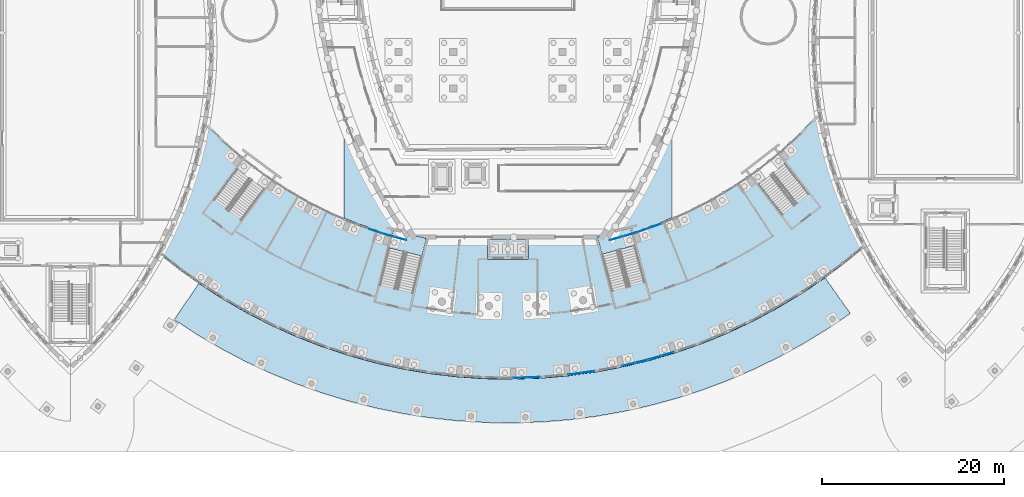
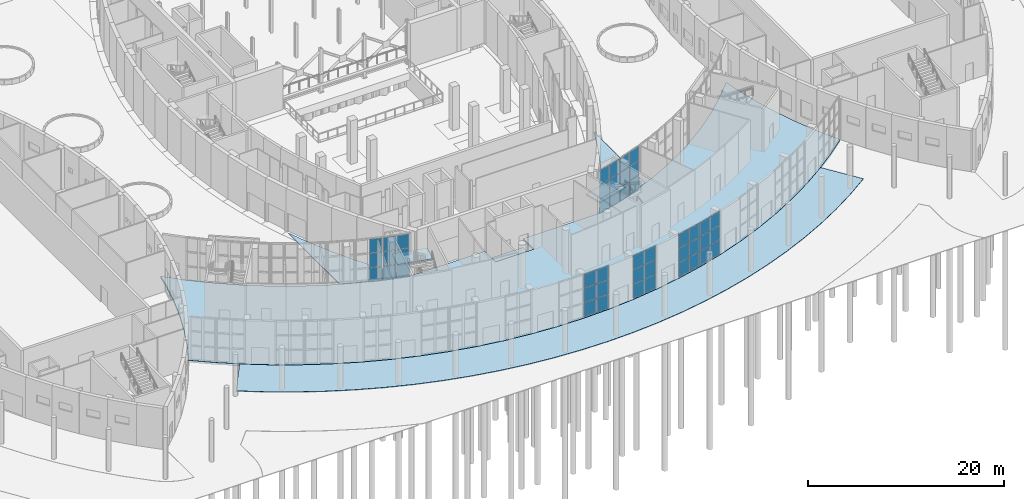
# One storey, part 31 of 82: 45 plates, 7 slabs, 10 elements without a shape of their own.
"""IFC4 building model written with IfcOpenShell, lengths in metres."""

from ifc_helpers import new_model, si_unit, direction, frame, origin, origin_2d, place, context, subcontext, project, spatial, polyline, rectangle, outline, extrude, material, layer, layer_set, type_object, element, aggregate, save


model = new_model("IFC4")

# Units and contexts
model_context = context("Model", 3, precision=1e-05, world=origin(), true_north=direction((0.0, 1.0)))
body_context = subcontext(model_context, "Body", "Model", "MODEL_VIEW")
ifc_project = project(units=[si_unit("LENGTHUNIT", "METRE"), si_unit("AREAUNIT", "SQUARE_METRE"), si_unit("VOLUMEUNIT", "CUBIC_METRE"), si_unit("PLANEANGLEUNIT", "RADIAN"), si_unit("MASSUNIT", "GRAM", prefix="KILO")], contexts=[model_context])

# Site, building, storey
site_placement = place(None, origin())
site = spatial("IfcSite", under=ifc_project, at=site_placement, CompositionType="ELEMENT")
building_placement = place(site_placement, origin())
building = spatial("IfcBuilding", under=site, at=building_placement, Name="Tide Square Theatres", CompositionType="ELEMENT")
storey_placement = place(building_placement, origin())
storey = spatial("IfcBuildingStorey", under=building, at=storey_placement, Name="L00", CompositionType="ELEMENT", Elevation=0.0)

# Curtain wall, plates
ifc_material_1 = material(Name="Aluminium 6063-T5", Category="aluminium")
curtain_wall_type = type_object("IfcCurtainWallType", Name="Unitised system curtain wall 5400 high", PredefinedType="USERDEFINED", material=ifc_material_1)
curtain_wall_1_placement = place(storey_placement, origin())
curtain_wall_1 = element("IfcCurtainWall", 1, at=curtain_wall_1_placement, inside=storey, type_object=curtain_wall_type, Name="Foyer outer curtain wall", ObjectType="UNITISED SYSTEM", PredefinedType="USERDEFINED")
ifc_material_2 = material(Name="Double-glazed unit with aluminium frame", Category="aluminium")
ifc_layer_1 = layer(ifc_material_2, 0.030029296875)
ifc_layer_set_1 = layer_set([ifc_layer_1], Name="Double-glazed unit with aluminium frame")
plate_type = type_object("IfcPlateType", Name="Curtain wall panel 30 thick", PredefinedType="CURTAIN_PANEL", material=ifc_layer_set_1)
plate_1_placement = place(storey_placement, frame((85.355224609375, 8.154541015625, 0.050048828125), z_axis=(0.0, 0.0, 1.0), x_axis=(0.999391522611, 0.034879571875, 0.0)))
plate_1 = element("IfcPlate", 2, at=plate_1_placement, type_object=plate_type, Name="CW-01 panel 1.1", PredefinedType="CURTAIN_PANEL", context=body_context, shape_type="SweptSolid", body=[
    extrude(rectangle(XDim=1.407958984375, YDim=0.030029296875, at=origin_2d()), origin(), (0.0, 0.0, 1.0), 1.72509765625),
])
plate_2_placement = place(storey_placement, frame((85.355224609375, 8.154541015625, 1.824951171875), z_axis=(0.0, 0.0, 1.0), x_axis=(0.999391522611, 0.034879571875, 0.0)))
plate_2 = element("IfcPlate", 3, at=plate_2_placement, type_object=plate_type, Name="CW-01 panel 1.2", PredefinedType="CURTAIN_PANEL", context=body_context, shape_type="SweptSolid", body=[
    extrude(rectangle(XDim=1.407958984375, YDim=0.030029296875, at=origin_2d()), origin(), (0.0, 0.0, 1.0), 1.75),
])
plate_3_placement = place(storey_placement, frame((85.355224609375, 8.154541015625, 3.625), z_axis=(0.0, 0.0, 1.0), x_axis=(0.999391522611, 0.034879571875, 0.0)))
plate_3 = element("IfcPlate", 4, at=plate_3_placement, type_object=plate_type, Name="CW-01 panel 1.3", PredefinedType="CURTAIN_PANEL", context=body_context, shape_type="SweptSolid", body=[
    extrude(rectangle(XDim=1.407958984375, YDim=0.030029296875, at=origin_2d()), origin(), (0.0, 0.0, 1.0), 1.72509765625),
])
plate_4_placement = place(storey_placement, frame((86.822509765625, 8.205810546875, 0.050048828125), z_axis=(0.0, 0.0, 1.0), x_axis=(0.999391522611, 0.034879571875, 0.0)))
plate_4 = element("IfcPlate", 5, at=plate_4_placement, type_object=plate_type, Name="CW-01 panel 2.1", PredefinedType="CURTAIN_PANEL", context=body_context, shape_type="SweptSolid", body=[
    extrude(rectangle(XDim=1.407958984375, YDim=0.030029296875, at=origin_2d()), origin(), (0.0, 0.0, 1.0), 1.72509765625),
])
plate_5_placement = place(storey_placement, frame((86.822509765625, 8.205810546875, 1.824951171875), z_axis=(0.0, 0.0, 1.0), x_axis=(0.999391522611, 0.034879571875, 0.0)))
plate_5 = element("IfcPlate", 6, at=plate_5_placement, type_object=plate_type, Name="CW-01 panel 2.2", PredefinedType="CURTAIN_PANEL", context=body_context, shape_type="SweptSolid", body=[
    extrude(rectangle(XDim=1.407958984375, YDim=0.030029296875, at=origin_2d()), origin(), (0.0, 0.0, 1.0), 1.75),
])
plate_6_placement = place(storey_placement, frame((86.822509765625, 8.205810546875, 3.625), z_axis=(0.0, 0.0, 1.0), x_axis=(0.999391522611, 0.034879571875, 0.0)))
plate_6 = element("IfcPlate", 7, at=plate_6_placement, type_object=plate_type, Name="CW-01 panel 2.3", PredefinedType="CURTAIN_PANEL", context=body_context, shape_type="SweptSolid", body=[
    extrude(rectangle(XDim=1.407958984375, YDim=0.030029296875, at=origin_2d()), origin(), (0.0, 0.0, 1.0), 1.72509765625),
])
aggregate(curtain_wall_1, [plate_1, plate_2, plate_3, plate_4, plate_5, plate_6])

curtain_wall_2_placement = place(storey_placement, origin())
curtain_wall_2 = element("IfcCurtainWall", 8, at=curtain_wall_2_placement, inside=storey, type_object=curtain_wall_type, Name="Foyer outer curtain wall", ObjectType="UNITISED SYSTEM", PredefinedType="USERDEFINED")
plate_7_placement = place(storey_placement, frame((91.328125, 8.589599609375, 0.050048828125), z_axis=(0.0, 0.0, 1.0), x_axis=(0.990903141427, 0.134576982836, 0.0)))
plate_7 = element("IfcPlate", 9, at=plate_7_placement, type_object=plate_type, Name="CW-01 panel 1.1", PredefinedType="CURTAIN_PANEL", context=body_context, shape_type="SweptSolid", body=[
    extrude(rectangle(XDim=1.407958984375, YDim=0.030029296875, at=origin_2d()), origin(), (0.0, 0.0, 1.0), 1.72509765625),
])
plate_8_placement = place(storey_placement, frame((91.328125, 8.589599609375, 1.824951171875), z_axis=(0.0, 0.0, 1.0), x_axis=(0.990903141427, 0.134576982836, 0.0)))
plate_8 = element("IfcPlate", 10, at=plate_8_placement, type_object=plate_type, Name="CW-01 panel 1.2", PredefinedType="CURTAIN_PANEL", context=body_context, shape_type="SweptSolid", body=[
    extrude(rectangle(XDim=1.407958984375, YDim=0.030029296875, at=origin_2d()), origin(), (0.0, 0.0, 1.0), 1.75),
])
plate_9_placement = place(storey_placement, frame((91.328125, 8.589599609375, 3.625), z_axis=(0.0, 0.0, 1.0), x_axis=(0.990903141427, 0.134576982836, 0.0)))
plate_9 = element("IfcPlate", 11, at=plate_9_placement, type_object=plate_type, Name="CW-01 panel 1.3", PredefinedType="CURTAIN_PANEL", context=body_context, shape_type="SweptSolid", body=[
    extrude(rectangle(XDim=1.407958984375, YDim=0.030029296875, at=origin_2d()), origin(), (0.0, 0.0, 1.0), 1.72509765625),
])
plate_10_placement = place(storey_placement, frame((92.78271484375, 8.787109375, 0.050048828125), z_axis=(0.0, 0.0, 1.0), x_axis=(0.990903141427, 0.134576982836, 0.0)))
plate_10 = element("IfcPlate", 12, at=plate_10_placement, type_object=plate_type, Name="CW-01 panel 2.1", PredefinedType="CURTAIN_PANEL", context=body_context, shape_type="SweptSolid", body=[
    extrude(rectangle(XDim=1.407958984375, YDim=0.030029296875, at=origin_2d()), origin(), (0.0, 0.0, 1.0), 1.72509765625),
])
plate_11_placement = place(storey_placement, frame((92.78271484375, 8.787109375, 1.824951171875), z_axis=(0.0, 0.0, 1.0), x_axis=(0.990903141427, 0.134576982836, 0.0)))
plate_11 = element("IfcPlate", 13, at=plate_11_placement, type_object=plate_type, Name="CW-01 panel 2.2", PredefinedType="CURTAIN_PANEL", context=body_context, shape_type="SweptSolid", body=[
    extrude(rectangle(XDim=1.407958984375, YDim=0.030029296875, at=origin_2d()), origin(), (0.0, 0.0, 1.0), 1.75),
])
plate_12_placement = place(storey_placement, frame((92.78271484375, 8.787109375, 3.625), z_axis=(0.0, 0.0, 1.0), x_axis=(0.990903141427, 0.134576982836, 0.0)))
plate_12 = element("IfcPlate", 14, at=plate_12_placement, type_object=plate_type, Name="CW-01 panel 2.3", PredefinedType="CURTAIN_PANEL", context=body_context, shape_type="SweptSolid", body=[
    extrude(rectangle(XDim=1.407958984375, YDim=0.030029296875, at=origin_2d()), origin(), (0.0, 0.0, 1.0), 1.72509765625),
])
aggregate(curtain_wall_2, [plate_7, plate_8, plate_9, plate_10, plate_11, plate_12])

curtain_wall_3_placement = place(storey_placement, origin())
curtain_wall_3 = element("IfcCurtainWall", 15, at=curtain_wall_3_placement, inside=storey, type_object=curtain_wall_type, Name="Foyer outer curtain wall", ObjectType="UNITISED SYSTEM", PredefinedType="USERDEFINED")
plate_13_placement = place(storey_placement, frame((97.227783203125, 9.619140625, 0.050048828125), z_axis=(0.0, 0.0, 1.0), x_axis=(0.972498081523, 0.232910887324, 0.0)))
plate_13 = element("IfcPlate", 16, at=plate_13_placement, type_object=plate_type, Name="CW-01 panel 1.1", PredefinedType="CURTAIN_PANEL", context=body_context, shape_type="SweptSolid", body=[
    extrude(rectangle(XDim=1.407958984375, YDim=0.030029296875, at=origin_2d()), origin(), (0.0, 0.0, 1.0), 1.72509765625),
])
plate_14_placement = place(storey_placement, frame((97.227783203125, 9.619140625, 1.824951171875), z_axis=(0.0, 0.0, 1.0), x_axis=(0.972498081523, 0.232910887324, 0.0)))
plate_14 = element("IfcPlate", 17, at=plate_14_placement, type_object=plate_type, Name="CW-01 panel 1.2", PredefinedType="CURTAIN_PANEL", context=body_context, shape_type="SweptSolid", body=[
    extrude(rectangle(XDim=1.407958984375, YDim=0.030029296875, at=origin_2d()), origin(), (0.0, 0.0, 1.0), 1.75),
])
plate_15_placement = place(storey_placement, frame((97.227783203125, 9.619140625, 3.625), z_axis=(0.0, 0.0, 1.0), x_axis=(0.972498081523, 0.232910887324, 0.0)))
plate_15 = element("IfcPlate", 18, at=plate_15_placement, type_object=plate_type, Name="CW-01 panel 1.3", PredefinedType="CURTAIN_PANEL", context=body_context, shape_type="SweptSolid", body=[
    extrude(rectangle(XDim=1.407958984375, YDim=0.030029296875, at=origin_2d()), origin(), (0.0, 0.0, 1.0), 1.72509765625),
])
plate_16_placement = place(storey_placement, frame((98.6552734375, 9.9609375, 0.050048828125), z_axis=(0.0, 0.0, 1.0), x_axis=(0.972498081523, 0.232910887324, 0.0)))
plate_16 = element("IfcPlate", 19, at=plate_16_placement, type_object=plate_type, Name="CW-01 panel 2.1", PredefinedType="CURTAIN_PANEL", context=body_context, shape_type="SweptSolid", body=[
    extrude(rectangle(XDim=1.407958984375, YDim=0.030029296875, at=origin_2d()), origin(), (0.0, 0.0, 1.0), 1.72509765625),
])
plate_17_placement = place(storey_placement, frame((98.6552734375, 9.9609375, 1.824951171875), z_axis=(0.0, 0.0, 1.0), x_axis=(0.972498081523, 0.232910887324, 0.0)))
plate_17 = element("IfcPlate", 20, at=plate_17_placement, type_object=plate_type, Name="CW-01 panel 2.2", PredefinedType="CURTAIN_PANEL", context=body_context, shape_type="SweptSolid", body=[
    extrude(rectangle(XDim=1.407958984375, YDim=0.030029296875, at=origin_2d()), origin(), (0.0, 0.0, 1.0), 1.75),
])
plate_18_placement = place(storey_placement, frame((98.6552734375, 9.9609375, 3.625), z_axis=(0.0, 0.0, 1.0), x_axis=(0.972498081523, 0.232910887324, 0.0)))
plate_18 = element("IfcPlate", 21, at=plate_18_placement, type_object=plate_type, Name="CW-01 panel 2.3", PredefinedType="CURTAIN_PANEL", context=body_context, shape_type="SweptSolid", body=[
    extrude(rectangle(XDim=1.407958984375, YDim=0.030029296875, at=origin_2d()), origin(), (0.0, 0.0, 1.0), 1.72509765625),
])
aggregate(curtain_wall_3, [plate_13, plate_14, plate_15, plate_16, plate_17, plate_18])

curtain_wall_4_placement = place(storey_placement, origin())
curtain_wall_4 = element("IfcCurtainWall", 22, at=curtain_wall_4_placement, inside=storey, type_object=curtain_wall_type, Name="Foyer outer curtain wall", ObjectType="UNITISED SYSTEM", PredefinedType="USERDEFINED")
plate_19_placement = place(storey_placement, frame((100.13134765625, 10.353759765625, 0.050048828125), z_axis=(0.0, 0.0, 1.0), x_axis=(0.959626058524, 0.281278914607, 0.0)))
plate_19 = element("IfcPlate", 23, at=plate_19_placement, type_object=plate_type, Name="CW-01 panel 1.1", PredefinedType="CURTAIN_PANEL", context=body_context, shape_type="SweptSolid", body=[
    extrude(rectangle(XDim=1.407958984375, YDim=0.030029296875, at=origin_2d()), origin(), (0.0, 0.0, 1.0), 1.72509765625),
])
plate_20_placement = place(storey_placement, frame((100.13134765625, 10.353759765625, 1.824951171875), z_axis=(0.0, 0.0, 1.0), x_axis=(0.959626058524, 0.281278914607, 0.0)))
plate_20 = element("IfcPlate", 24, at=plate_20_placement, type_object=plate_type, Name="CW-01 panel 1.2", PredefinedType="CURTAIN_PANEL", context=body_context, shape_type="SweptSolid", body=[
    extrude(rectangle(XDim=1.407958984375, YDim=0.030029296875, at=origin_2d()), origin(), (0.0, 0.0, 1.0), 1.75),
])
plate_21_placement = place(storey_placement, frame((100.13134765625, 10.353759765625, 3.625), z_axis=(0.0, 0.0, 1.0), x_axis=(0.959626058524, 0.281278914607, 0.0)))
plate_21 = element("IfcPlate", 25, at=plate_21_placement, type_object=plate_type, Name="CW-01 panel 1.3", PredefinedType="CURTAIN_PANEL", context=body_context, shape_type="SweptSolid", body=[
    extrude(rectangle(XDim=1.407958984375, YDim=0.030029296875, at=origin_2d()), origin(), (0.0, 0.0, 1.0), 1.72509765625),
])
plate_22_placement = place(storey_placement, frame((101.5400390625, 10.7666015625, 0.050048828125), z_axis=(0.0, 0.0, 1.0), x_axis=(0.959626058524, 0.281278914607, 0.0)))
plate_22 = element("IfcPlate", 26, at=plate_22_placement, type_object=plate_type, Name="CW-01 panel 2.1", PredefinedType="CURTAIN_PANEL", context=body_context, shape_type="SweptSolid", body=[
    extrude(rectangle(XDim=1.407958984375, YDim=0.030029296875, at=origin_2d()), origin(), (0.0, 0.0, 1.0), 1.72509765625),
])
plate_23_placement = place(storey_placement, frame((101.5400390625, 10.7666015625, 1.824951171875), z_axis=(0.0, 0.0, 1.0), x_axis=(0.959626058524, 0.281278914607, 0.0)))
plate_23 = element("IfcPlate", 27, at=plate_23_placement, type_object=plate_type, Name="CW-01 panel 2.2", PredefinedType="CURTAIN_PANEL", context=body_context, shape_type="SweptSolid", body=[
    extrude(rectangle(XDim=1.407958984375, YDim=0.030029296875, at=origin_2d()), origin(), (0.0, 0.0, 1.0), 1.75),
])
plate_24_placement = place(storey_placement, frame((101.5400390625, 10.7666015625, 3.625), z_axis=(0.0, 0.0, 1.0), x_axis=(0.959626058524, 0.281278914607, 0.0)))
plate_24 = element("IfcPlate", 28, at=plate_24_placement, type_object=plate_type, Name="CW-01 panel 2.3", PredefinedType="CURTAIN_PANEL", context=body_context, shape_type="SweptSolid", body=[
    extrude(rectangle(XDim=1.407958984375, YDim=0.030029296875, at=origin_2d()), origin(), (0.0, 0.0, 1.0), 1.72509765625),
])
aggregate(curtain_wall_4, [plate_19, plate_20, plate_21, plate_22, plate_23, plate_24])

curtain_wall_5_placement = place(storey_placement, origin())
curtain_wall_5 = element("IfcCurtainWall", 29, at=curtain_wall_5_placement, inside=storey, type_object=curtain_wall_type, Name="Foyer inner curtain wall", ObjectType="UNITISED SYSTEM", PredefinedType="USERDEFINED")
plate_25_placement = place(storey_placement, frame((100.177734375, 24.825439453125, 0.050048828125), z_axis=(0.0, 0.0, 1.0), x_axis=(-0.941960664039, -0.335723260146, 0.0)))
plate_25 = element("IfcPlate", 30, at=plate_25_placement, type_object=plate_type, Name="CW-01 panel 1.1", PredefinedType="CURTAIN_PANEL", context=body_context, shape_type="SweptSolid", body=[
    extrude(rectangle(XDim=1.428955078125, YDim=0.030029296875, at=origin_2d()), origin(), (0.0, 0.0, 1.0), 1.72509765625),
])
plate_26_placement = place(storey_placement, frame((100.177734375, 24.825439453125, 1.824951171875), z_axis=(0.0, 0.0, 1.0), x_axis=(-0.941960664039, -0.335723260146, 0.0)))
plate_26 = element("IfcPlate", 31, at=plate_26_placement, type_object=plate_type, Name="CW-01 panel 1.2", PredefinedType="CURTAIN_PANEL", context=body_context, shape_type="SweptSolid", body=[
    extrude(rectangle(XDim=1.428955078125, YDim=0.030029296875, at=origin_2d()), origin(), (0.0, 0.0, 1.0), 1.75),
])
plate_27_placement = place(storey_placement, frame((100.177734375, 24.825439453125, 3.625), z_axis=(0.0, 0.0, 1.0), x_axis=(-0.941960664039, -0.335723260146, 0.0)))
plate_27 = element("IfcPlate", 32, at=plate_27_placement, type_object=plate_type, Name="CW-01 panel 1.3", PredefinedType="CURTAIN_PANEL", context=body_context, shape_type="SweptSolid", body=[
    extrude(rectangle(XDim=1.428955078125, YDim=0.030029296875, at=origin_2d()), origin(), (0.0, 0.0, 1.0), 1.72509765625),
])
plate_28_placement = place(storey_placement, frame((98.775146484375, 24.325439453125, 0.050048828125), z_axis=(0.0, 0.0, 1.0), x_axis=(-0.941960664039, -0.335723260146, 0.0)))
plate_28 = element("IfcPlate", 33, at=plate_28_placement, type_object=plate_type, Name="CW-01 panel 2.1", PredefinedType="CURTAIN_PANEL", context=body_context, shape_type="SweptSolid", body=[
    extrude(rectangle(XDim=1.428955078125, YDim=0.030029296875, at=origin_2d()), origin(), (0.0, 0.0, 1.0), 1.72509765625),
])
plate_29_placement = place(storey_placement, frame((98.775146484375, 24.325439453125, 1.824951171875), z_axis=(0.0, 0.0, 1.0), x_axis=(-0.941960664039, -0.335723260146, 0.0)))
plate_29 = element("IfcPlate", 34, at=plate_29_placement, type_object=plate_type, Name="CW-01 panel 2.2", PredefinedType="CURTAIN_PANEL", context=body_context, shape_type="SweptSolid", body=[
    extrude(rectangle(XDim=1.428955078125, YDim=0.030029296875, at=origin_2d()), origin(), (0.0, 0.0, 1.0), 1.75),
])
plate_30_placement = place(storey_placement, frame((98.775146484375, 24.325439453125, 3.625), z_axis=(0.0, 0.0, 1.0), x_axis=(-0.941960664039, -0.335723260146, 0.0)))
plate_30 = element("IfcPlate", 35, at=plate_30_placement, type_object=plate_type, Name="CW-01 panel 2.3", PredefinedType="CURTAIN_PANEL", context=body_context, shape_type="SweptSolid", body=[
    extrude(rectangle(XDim=1.428955078125, YDim=0.030029296875, at=origin_2d()), origin(), (0.0, 0.0, 1.0), 1.72509765625),
])
aggregate(curtain_wall_5, [plate_25, plate_26, plate_27, plate_28, plate_29, plate_30])

curtain_wall_6_placement = place(storey_placement, origin())
curtain_wall_6 = element("IfcCurtainWall", 36, at=curtain_wall_6_placement, inside=storey, type_object=curtain_wall_type, Name="Foyer inner curtain wall", ObjectType="UNITISED SYSTEM", PredefinedType="USERDEFINED")
plate_31_placement = place(storey_placement, frame((97.29736328125, 23.853271484375, 0.050048828125), z_axis=(0.0, 0.0, 1.0), x_axis=(-0.962020780227, -0.272976223163, 0.0)))
plate_31 = element("IfcPlate", 37, at=plate_31_placement, type_object=plate_type, Name="CW-01 panel 1.1", PredefinedType="CURTAIN_PANEL", context=body_context, shape_type="SweptSolid", body=[
    extrude(rectangle(XDim=1.435546875, YDim=0.030029296875, at=origin_2d()), origin(), (0.0, 0.0, 1.0), 1.72509765625),
])
plate_32_placement = place(storey_placement, frame((97.29736328125, 23.853271484375, 1.824951171875), z_axis=(0.0, 0.0, 1.0), x_axis=(-0.962020780227, -0.272976223163, 0.0)))
plate_32 = element("IfcPlate", 38, at=plate_32_placement, type_object=plate_type, Name="CW-01 panel 1.2", PredefinedType="CURTAIN_PANEL", context=body_context, shape_type="SweptSolid", body=[
    extrude(rectangle(XDim=1.435546875, YDim=0.030029296875, at=origin_2d()), origin(), (0.0, 0.0, 1.0), 1.75),
])
plate_33_placement = place(storey_placement, frame((97.29736328125, 23.853271484375, 3.625), z_axis=(0.0, 0.0, 1.0), x_axis=(-0.962020780227, -0.272976223163, 0.0)))
plate_33 = element("IfcPlate", 39, at=plate_33_placement, type_object=plate_type, Name="CW-01 panel 1.3", PredefinedType="CURTAIN_PANEL", context=body_context, shape_type="SweptSolid", body=[
    extrude(rectangle(XDim=1.435546875, YDim=0.030029296875, at=origin_2d()), origin(), (0.0, 0.0, 1.0), 1.72509765625),
])
plate_34_placement = place(storey_placement, frame((95.858642578125, 23.44482421875, 0.050048828125), z_axis=(0.0, 0.0, 1.0), x_axis=(-0.962020780227, -0.272976223163, 0.0)))
plate_34 = element("IfcPlate", 40, at=plate_34_placement, type_object=plate_type, Name="CW-01 panel 2.1", PredefinedType="CURTAIN_PANEL", context=body_context, shape_type="SweptSolid", body=[
    extrude(rectangle(XDim=1.435546875, YDim=0.030029296875, at=origin_2d()), origin(), (0.0, 0.0, 1.0), 1.72509765625),
])
plate_35_placement = place(storey_placement, frame((95.858642578125, 23.44482421875, 1.824951171875), z_axis=(0.0, 0.0, 1.0), x_axis=(-0.962020780227, -0.272976223163, 0.0)))
plate_35 = element("IfcPlate", 41, at=plate_35_placement, type_object=plate_type, Name="CW-01 panel 2.2", PredefinedType="CURTAIN_PANEL", context=body_context, shape_type="SweptSolid", body=[
    extrude(rectangle(XDim=1.435546875, YDim=0.030029296875, at=origin_2d()), origin(), (0.0, 0.0, 1.0), 1.75),
])
plate_36_placement = place(storey_placement, frame((95.858642578125, 23.44482421875, 3.625), z_axis=(0.0, 0.0, 1.0), x_axis=(-0.962020780227, -0.272976223163, 0.0)))
plate_36 = element("IfcPlate", 42, at=plate_36_placement, type_object=plate_type, Name="CW-01 panel 2.3", PredefinedType="CURTAIN_PANEL", context=body_context, shape_type="SweptSolid", body=[
    extrude(rectangle(XDim=1.435546875, YDim=0.030029296875, at=origin_2d()), origin(), (0.0, 0.0, 1.0), 1.72509765625),
])
aggregate(curtain_wall_6, [plate_31, plate_32, plate_33, plate_34, plate_35, plate_36])

curtain_wall_7_placement = place(storey_placement, origin())
curtain_wall_7 = element("IfcCurtainWall", 43, at=curtain_wall_7_placement, inside=storey, type_object=curtain_wall_type, Name="Foyer inner curtain wall", ObjectType="UNITISED SYSTEM", PredefinedType="USERDEFINED")
plate_37_placement = place(storey_placement, frame((72.178955078125, 23.432861328125, 0.050048828125), z_axis=(0.0, 0.0, 1.0), x_axis=(-0.962486941691, 0.271328006432, 0.0)))
plate_37 = element("IfcPlate", 44, at=plate_37_placement, type_object=plate_type, Name="CW-01 panel 1.1", PredefinedType="CURTAIN_PANEL", context=body_context, shape_type="SweptSolid", body=[
    extrude(rectangle(XDim=1.356689453125, YDim=0.030029296875, at=origin_2d()), origin(), (0.0, 0.0, 1.0), 1.72509765625),
])
plate_38_placement = place(storey_placement, frame((72.178955078125, 23.432861328125, 1.824951171875), z_axis=(0.0, 0.0, 1.0), x_axis=(-0.962486941691, 0.271328006432, 0.0)))
plate_38 = element("IfcPlate", 45, at=plate_38_placement, type_object=plate_type, Name="CW-01 panel 1.2", PredefinedType="CURTAIN_PANEL", context=body_context, shape_type="SweptSolid", body=[
    extrude(rectangle(XDim=1.356689453125, YDim=0.030029296875, at=origin_2d()), origin(), (0.0, 0.0, 1.0), 1.75),
])
plate_39_placement = place(storey_placement, frame((72.178955078125, 23.432861328125, 3.625), z_axis=(0.0, 0.0, 1.0), x_axis=(-0.962486941691, 0.271328006432, 0.0)))
plate_39 = element("IfcPlate", 46, at=plate_39_placement, type_object=plate_type, Name="CW-01 panel 1.3", PredefinedType="CURTAIN_PANEL", context=body_context, shape_type="SweptSolid", body=[
    extrude(rectangle(XDim=1.356689453125, YDim=0.030029296875, at=origin_2d()), origin(), (0.0, 0.0, 1.0), 1.72509765625),
])
plate_40_placement = place(storey_placement, frame((70.8154296875, 23.8173828125, 0.050048828125), z_axis=(0.0, 0.0, 1.0), x_axis=(-0.962486941691, 0.271328006432, 0.0)))
plate_40 = element("IfcPlate", 47, at=plate_40_placement, type_object=plate_type, Name="CW-01 panel 2.1", PredefinedType="CURTAIN_PANEL", context=body_context, shape_type="SweptSolid", body=[
    extrude(rectangle(XDim=1.356689453125, YDim=0.030029296875, at=origin_2d()), origin(), (0.0, 0.0, 1.0), 1.72509765625),
])
plate_41_placement = place(storey_placement, frame((70.8154296875, 23.8173828125, 1.824951171875), z_axis=(0.0, 0.0, 1.0), x_axis=(-0.962486941691, 0.271328006432, 0.0)))
plate_41 = element("IfcPlate", 48, at=plate_41_placement, type_object=plate_type, Name="CW-01 panel 2.2", PredefinedType="CURTAIN_PANEL", context=body_context, shape_type="SweptSolid", body=[
    extrude(rectangle(XDim=1.356689453125, YDim=0.030029296875, at=origin_2d()), origin(), (0.0, 0.0, 1.0), 1.75),
])
plate_42_placement = place(storey_placement, frame((70.8154296875, 23.8173828125, 3.625), z_axis=(0.0, 0.0, 1.0), x_axis=(-0.962486941691, 0.271328006432, 0.0)))
plate_42 = element("IfcPlate", 49, at=plate_42_placement, type_object=plate_type, Name="CW-01 panel 2.3", PredefinedType="CURTAIN_PANEL", context=body_context, shape_type="SweptSolid", body=[
    extrude(rectangle(XDim=1.356689453125, YDim=0.030029296875, at=origin_2d()), origin(), (0.0, 0.0, 1.0), 1.72509765625),
])
aggregate(curtain_wall_7, [plate_37, plate_38, plate_39, plate_40, plate_41, plate_42])

curtain_wall_8_placement = place(storey_placement, origin())
curtain_wall_8 = element("IfcCurtainWall", 50, at=curtain_wall_8_placement, inside=storey, type_object=curtain_wall_type, Name="Foyer inner curtain wall", ObjectType="UNITISED SYSTEM", PredefinedType="USERDEFINED")
plate_43_placement = place(storey_placement, frame((69.4111328125, 24.260986328125, 0.050048828125), z_axis=(0.0, 0.0, 1.0), x_axis=(-0.943674173713, 0.330876191147, 0.0)))
plate_43 = element("IfcPlate", 51, at=plate_43_placement, type_object=plate_type, Name="CW-01 panel 1.1", PredefinedType="CURTAIN_PANEL", context=body_context, shape_type="SweptSolid", body=[
    extrude(rectangle(XDim=1.35009765625, YDim=0.030029296875, at=origin_2d()), origin(), (0.0, 0.0, 1.0), 1.72509765625),
])
plate_44_placement = place(storey_placement, frame((69.4111328125, 24.260986328125, 1.824951171875), z_axis=(0.0, 0.0, 1.0), x_axis=(-0.943674173713, 0.330876191147, 0.0)))
plate_44 = element("IfcPlate", 52, at=plate_44_placement, type_object=plate_type, Name="CW-01 panel 1.2", PredefinedType="CURTAIN_PANEL", context=body_context, shape_type="SweptSolid", body=[
    extrude(rectangle(XDim=1.35009765625, YDim=0.030029296875, at=origin_2d()), origin(), (0.0, 0.0, 1.0), 1.75),
])
plate_45_placement = place(storey_placement, frame((69.4111328125, 24.260986328125, 3.625), z_axis=(0.0, 0.0, 1.0), x_axis=(-0.943674173713, 0.330876191147, 0.0)))
plate_45 = element("IfcPlate", 53, at=plate_45_placement, type_object=plate_type, Name="CW-01 panel 1.3", PredefinedType="CURTAIN_PANEL", context=body_context, shape_type="SweptSolid", body=[
    extrude(rectangle(XDim=1.35009765625, YDim=0.030029296875, at=origin_2d()), origin(), (0.0, 0.0, 1.0), 1.72509765625),
])
aggregate(curtain_wall_8, [plate_43, plate_44, plate_45])

# Slabs
ifc_material_3 = material(Name="Concrete C30", Category="concrete")
ifc_layer_2 = layer(ifc_material_3, 0.10009765625)
ifc_layer_set_2 = layer_set([ifc_layer_2], Name="Concrete C30")
slab_type_1 = type_object("IfcSlabType", Name="Paving slab 100", PredefinedType="USERDEFINED", material=ifc_layer_set_2)
slab_1_placement = place(storey_placement, frame((0.0, 0.0, -0.10009765625)))
element("IfcSlab", 54, at=slab_1_placement, inside=storey, type_object=slab_type_1, Name="Arcade paving", ObjectType="PAVING", PredefinedType="USERDEFINED", context=body_context, shape_type="SweptSolid", body=[
    extrude(outline(polyline([(47.384521484375, 14.53662109375), (49.930908203125, 12.87890625), (52.552001953125, 11.342529296875), (55.242431640625, 9.9306640625), (57.99609375, 8.646484375), (60.806884765625, 7.492919921875), (63.668701171875, 6.47216796875), (66.5751953125, 5.586669921875), (69.52001953125, 4.83837890625), (72.49658203125, 4.229248046875), (75.49853515625, 3.760009765625), (78.51904296875, 3.43212890625), (81.5517578125, 3.246337890625), (84.58984375, 3.20263671875), (87.626708984375, 3.301513671875), (90.6552734375, 3.542724609375), (93.66943359375, 3.925537109375), (96.662353515625, 4.44921875), (99.62744140625, 5.112548828125), (102.55810546875, 5.914306640625), (105.447998046875, 6.852294921875), (108.290771484375, 7.925048828125), (111.080078125, 9.129638671875), (113.809814453125, 10.4638671875), (116.47412109375, 11.92431640625), (119.06689453125, 13.50830078125), (121.582763671875, 15.2119140625), (118.798828125, 19.1220703125), (116.27197265625, 17.418212890625), (113.661865234375, 15.8447265625), (110.97509765625, 14.40576171875), (108.218994140625, 13.105224609375), (105.400390625, 11.9462890625), (102.5263671875, 10.931884765625), (99.604736328125, 10.064697265625), (96.642578125, 9.34716796875), (93.648193359375, 8.78076171875), (90.628662109375, 8.3671875), (87.592041015625, 8.107666015625), (84.546142578125, 8.00244140625), (81.498779296875, 8.05224609375), (78.4580078125, 8.256591796875), (75.431396484375, 8.614990234375), (72.427001953125, 9.126708984375), (69.45263671875, 9.790283203125), (66.515380859375, 10.60400390625), (63.62353515625, 11.56591796875), (60.7841796875, 12.67333984375), (58.0048828125, 13.923583984375), (55.29248046875, 15.3134765625), (52.654296875, 16.839111328125), (50.0966796875, 18.496826171875), (47.384521484375, 14.53662109375)])), origin(), (0.0, 0.0, 1.0), 0.10009765625),
])
slab_2_placement = place(storey_placement, frame((0.0, 0.0, -0.10009765625)))
element("IfcSlab", 55, at=slab_2_placement, inside=storey, type_object=slab_type_1, Name="Forecourt and lane paving", ObjectType="PAVING", PredefinedType="USERDEFINED", context=body_context, shape_type="SweptSolid", body=[
    extrude(outline(polyline([(66.02001953125, 25.705322265625), (67.43896484375, 25.10595703125), (70.1484375, 24.156005859375), (72.859619140625, 23.3916015625), (71.1826171875, 25.853515625), (69.61767578125, 28.45361328125), (68.201171875, 31.137451171875), (66.9375, 33.896728515625), (66.02001953125, 36.22265625), (66.02001953125, 25.705322265625)])), origin(), (0.0, 0.0, 1.0), 0.10009765625),
])
slab_3_placement = place(storey_placement, frame((0.0, 0.0, -0.10009765625)))
element("IfcSlab", 56, at=slab_3_placement, inside=storey, type_object=slab_type_1, Name="Forecourt and lane paving", ObjectType="PAVING", PredefinedType="USERDEFINED", context=body_context, shape_type="SweptSolid", body=[
    extrude(outline(polyline([(95.140380859375, 23.391845703125), (98.00146484375, 24.20361328125), (100.85400390625, 25.220458984375), (101.97998046875, 25.707275390625), (101.97998046875, 36.22265625), (101.062744140625, 33.897705078125), (99.79931640625, 31.138427734375), (98.3828125, 28.45458984375), (96.818115234375, 25.8544921875), (95.140380859375, 23.391845703125)])), origin(), (0.0, 0.0, 1.0), 0.10009765625),
])
ifc_material_4 = material(Name="Concrete C35", Category="concrete")
ifc_layer_3 = layer(ifc_material_4, 0.25)
ifc_layer_set_3 = layer_set([ifc_layer_3], Name="Concrete C35")
slab_type_2 = type_object("IfcSlabType", Name="RC baseslab slab 250", PredefinedType="BASESLAB", material=ifc_layer_set_3)
slab_4_placement = place(storey_placement, frame((0.0, 0.0, -0.25)))
element("IfcSlab", 57, at=slab_4_placement, inside=storey, type_object=slab_type_2, Name="Foyer ground slab", PredefinedType="BASESLAB", context=body_context, shape_type="SweptSolid", body=[
    extrude(outline(polyline([(50.926513671875, 36.035400390625), (50.5673828125, 34.166748046875), (49.902099609375, 31.511474609375), (49.086669921875, 28.898681640625), (48.12353515625, 26.33642578125), (47.01611328125, 23.833251953125), (45.89208984375, 21.66015625), (48.135986328125, 19.898193359375), (50.587158203125, 18.16455078125), (53.121826171875, 16.555419921875), (55.73388671875, 15.0751953125), (58.41650390625, 13.727783203125), (61.163330078125, 12.515869140625), (63.96728515625, 11.443115234375), (66.821533203125, 10.51171875), (69.71875, 9.724365234375), (72.651611328125, 9.0830078125), (75.61279296875, 8.589111328125), (78.59521484375, 8.243896484375), (81.591064453125, 8.04833984375), (84.593017578125, 8.0029296875), (87.593505859375, 8.107666015625), (90.5849609375, 8.3623046875), (93.559814453125, 8.7666015625), (96.5107421875, 9.31884765625), (99.430419921875, 10.01806640625), (102.3115234375, 10.862548828125), (105.146728515625, 11.85009765625), (107.928955078125, 12.97802734375), (110.6513671875, 14.243896484375), (113.306884765625, 15.644287109375), (115.88916015625, 17.17578125), (118.3916015625, 18.834716796875), (120.8076171875, 20.61669921875), (123.016357421875, 22.422607421875), (121.738037109375, 25.0), (120.705078125, 27.427978515625), (119.806884765625, 29.908935546875), (119.04638671875, 32.435546875), (118.426025390625, 35.0), (118.0419921875, 37.069091796875), (116.040283203125, 34.99365234375), (113.798095703125, 32.956298828125), (111.4267578125, 31.07080078125), (108.936279296875, 29.345458984375), (106.337646484375, 27.78759765625), (103.64208984375, 26.404541015625), (100.861572265625, 25.20166015625), (98.007568359375, 24.1845703125), (95.093017578125, 23.357666015625), (86.25, 23.357666015625), (86.25, 21.15771484375), (84.14990234375, 21.15771484375), (83.85009765625, 21.15771484375), (81.75, 21.15771484375), (81.75, 23.357666015625), (72.906982421875, 23.357666015625), (70.142333984375, 24.136962890625), (67.431640625, 25.08740234375), (64.78564453125, 26.205078125), (62.214599609375, 27.48583984375), (59.728515625, 28.924560546875), (57.3369140625, 30.515625), (55.04931640625, 32.252685546875), (52.874755859375, 34.12939453125), (50.926513671875, 36.035400390625)])), origin(), (0.0, 0.0, 1.0), 0.25),
])
ifc_material_5 = material(Name="Concrete C35", Category="concrete")
ifc_layer_4 = layer(ifc_material_5, 0.39990234375)
ifc_layer_set_4 = layer_set([ifc_layer_4], Name="Concrete C35")
slab_type_3 = type_object("IfcSlabType", Name="RC baseslab slab 400", PredefinedType="BASESLAB", material=ifc_layer_set_4)
slab_5_placement = place(storey_placement, frame((0.0, 0.0, -1.5)))
element("IfcSlab", 58, at=slab_5_placement, inside=storey, type_object=slab_type_3, Name="Lift pit slab", PredefinedType="BASESLAB", context=body_context, shape_type="SweptSolid", body=[
    extrude(outline(polyline([(86.25, 23.357666015625), (81.75, 23.357666015625), (81.75, 21.15771484375), (86.25, 21.15771484375), (86.25, 23.357666015625)])), origin(), (0.0, 0.0, 1.0), 0.39990234375),
])

# Stair, slab
ifc_material_6 = material(Name="Concrete C35", Category="concrete")
stair_type = type_object("IfcStairType", Name="Foyer exit stair half turn 1200 wide", PredefinedType="HALF_TURN_STAIR", material=ifc_material_6)
stair_1_placement = place(storey_placement, origin())
stair_1 = element("IfcStair", 59, at=stair_1_placement, inside=storey, type_object=stair_type, Name="L00 Exit stair F3", PredefinedType="HALF_TURN_STAIR")
ifc_material_7 = material(Name="Concrete C35", Category="concrete")
ifc_layer_5 = layer(ifc_material_7, 0.199951171875)
ifc_layer_set_5 = layer_set([ifc_layer_5], Name="Concrete C35")
slab_type_4 = type_object("IfcSlabType", Name="RC landing slab 200", PredefinedType="LANDING", material=ifc_layer_set_5)
slab_6_placement = place(storey_placement, frame((0.0, 0.0, 2.5)))
slab_6 = element("IfcSlab", 60, at=slab_6_placement, type_object=slab_type_4, Name="F3 landing 1", PredefinedType="LANDING", context=body_context, shape_type="SweptSolid", body=[
    extrude(outline(polyline([(74.580078125, 21.506591796875), (75.0546875, 23.450439453125), (71.41162109375, 24.33984375), (70.937255859375, 22.39599609375), (74.580078125, 21.506591796875)])), origin(), (0.0, 0.0, 1.0), 0.199951171875),
])
aggregate(stair_1, [slab_6])

stair_2_placement = place(storey_placement, origin())
stair_2 = element("IfcStair", 61, at=stair_2_placement, inside=storey, type_object=stair_type, Name="L00 Exit stair F4", PredefinedType="HALF_TURN_STAIR")
slab_7_placement = place(storey_placement, frame((0.0, 0.0, 2.5)))
slab_7 = element("IfcSlab", 62, at=slab_7_placement, type_object=slab_type_4, Name="F4 landing 1", PredefinedType="LANDING", context=body_context, shape_type="SweptSolid", body=[
    extrude(outline(polyline([(97.961669921875, 22.6630859375), (97.448974609375, 24.59716796875), (93.82421875, 23.635986328125), (94.3369140625, 21.701904296875), (97.961669921875, 22.6630859375)])), origin(), (0.0, 0.0, 1.0), 0.199951171875),
])
aggregate(stair_2, [slab_7])

save(model, "model.ifc")
